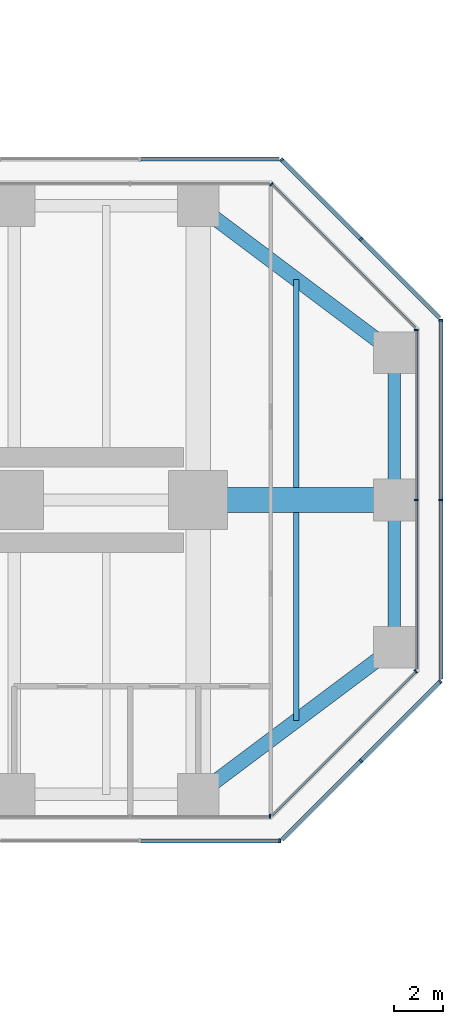
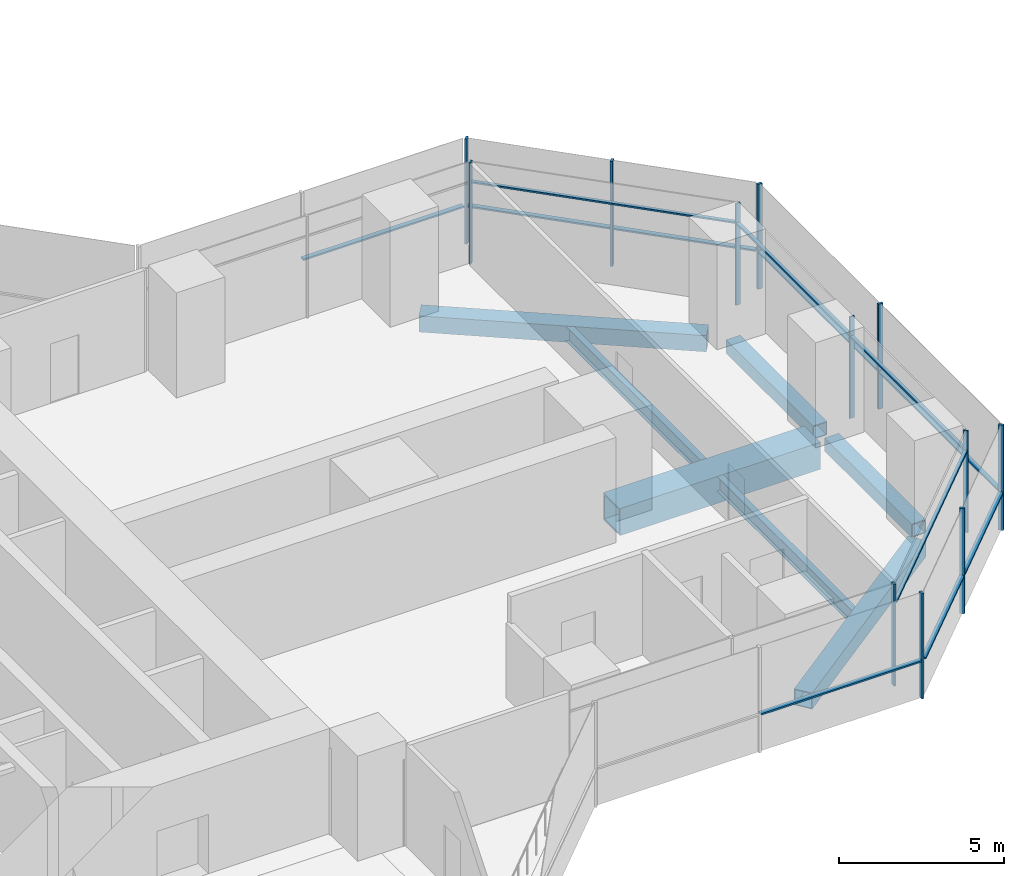
# One storey, part 12 of 22: 24 members, 7 beams, 9 elements without a shape of their own.
"""IFC4 building model written with IfcOpenShell, lengths in metres."""

from ifc_helpers import new_model, si_unit, direction, frame, origin, origin_2d, place, context, subcontext, project, spatial, rectangle, hollow_rectangle, i_section, extrude, material, material_profile, profile_set, type_object, element, aggregate, save


model = new_model("IFC4")

# Units and contexts
model_context = context("Model", 3, precision=1e-05, world=origin(), true_north=direction((0.0, 1.0)))
body_context = subcontext(model_context, "Body", "Model", "MODEL_VIEW")
ifc_project = project(units=[si_unit("LENGTHUNIT", "METRE"), si_unit("AREAUNIT", "SQUARE_METRE"), si_unit("VOLUMEUNIT", "CUBIC_METRE"), si_unit("PLANEANGLEUNIT", "RADIAN"), si_unit("MASSUNIT", "GRAM", prefix="KILO")], contexts=[model_context])

# Site, building, storey
site_placement = place(None, origin())
site = spatial("IfcSite", under=ifc_project, at=site_placement, CompositionType="ELEMENT")
building_placement = place(site_placement, origin())
building = spatial("IfcBuilding", under=site, at=building_placement, Name="Mizan Broadcast Tower", CompositionType="ELEMENT")
storey_placement = place(building_placement, frame((0.0, 0.0, 51.300048828125)))
storey = spatial("IfcBuildingStorey", under=building, at=storey_placement, Name="L09", CompositionType="ELEMENT", Elevation=51.300048828125)

# Beams
ifc_material_1 = material(Name="Steel S355", Category="steel")
ifc_material_profile_1 = material_profile(ifc_material_1, hollow_rectangle(XDim=0.5, YDim=0.5, WallThickness=0.030029296875, at=origin_2d()), Name="BOX 500x500x30")
ifc_profile_set_1 = profile_set([ifc_material_profile_1], Name="Steel S355")
beam_type_1 = type_object("IfcBeamType", Name="EDGE BEAM BOX 500x500x30", PredefinedType="SPANDREL", material=ifc_profile_set_1)
for number, where, z_axis, x_axis, name in (
    (1, (35.0, -5.639892578125, -0.380126953125), (0.0, 1.0, 0.0), (-1.0, 0.0, 0.0), "Edge beam BOX 500x500x30 L09 east arm"),
    (2, (35.0, 5.639892578125, -0.380126953125), (0.0, -1.0, 0.0), (1.0, 0.0, 0.0), "Edge beam BOX 500x500x30 L09 east arm"),
):
    element("IfcBeam", number, at=place(storey_placement, frame(where, z_axis=z_axis, x_axis=x_axis)), inside=storey, type_object=beam_type_1, Name=name, PredefinedType="SPANDREL", context=body_context, shape_type="SweptSolid", body=[
        extrude(hollow_rectangle(XDim=0.5, YDim=0.5, WallThickness=0.030029296875, at=origin_2d()), origin(), (0.0, 0.0, 1.0), 5.27978515625),
    ])
ifc_material_2 = material(Name="Steel S355", Category="steel")
ifc_material_profile_2 = material_profile(ifc_material_2, hollow_rectangle(XDim=0.60009765625, YDim=0.60009765625, WallThickness=0.030029296875, at=origin_2d()), Name="BOX 600x600x30")
ifc_profile_set_2 = profile_set([ifc_material_profile_2], Name="Steel S355")
beam_type_2 = type_object("IfcBeamType", Name="EDGE BEAM BOX 600x600x30", PredefinedType="SPANDREL", material=ifc_profile_set_2)
for number, where, z_axis, x_axis, name in (
    (3, (27.47998046875, -11.639892578125, -0.429931640625), (0.800013316712, 0.599982243973, 0.0), (-0.599982243973, 0.800013316712, 0.0), "Edge beam BOX 600x600x30 L09 east arm"),
    (4, (27.47998046875, 11.639892578125, -0.429931640625), (0.800013316712, -0.599982243973, 0.0), (0.599982243973, 0.800013316712, 0.0), "Edge beam BOX 600x600x30 L09 east arm"),
):
    element("IfcBeam", number, at=place(storey_placement, frame(where, z_axis=z_axis, x_axis=x_axis)), inside=storey, type_object=beam_type_2, Name=name, PredefinedType="SPANDREL", context=body_context, shape_type="SweptSolid", body=[
        extrude(hollow_rectangle(XDim=0.60009765625, YDim=0.60009765625, WallThickness=0.030029296875, at=origin_2d()), origin(), (0.0, 0.0, 1.0), 8.7998046875),
    ])
ifc_material_3 = material(Name="Steel S460", Category="steel")
ifc_material_profile_3 = material_profile(ifc_material_3, hollow_rectangle(XDim=1.0, YDim=1.0, WallThickness=0.06005859375, at=origin_2d()), Name="BOX 1000x1000x60")
ifc_profile_set_3 = profile_set([ifc_material_profile_3], Name="Steel S460")
beam_type_3 = type_object("IfcBeamType", Name="GIRDER BOX 1000x1000x60", PredefinedType="BEAM", material=ifc_profile_set_3)
beam_placement = place(storey_placement, frame((27.47998046875, 0.0, -0.630126953125), z_axis=(1.0, 0.0, 0.0), x_axis=(0.0, 1.0, 0.0)))
element("IfcBeam", 5, at=beam_placement, inside=storey, type_object=beam_type_3, Name="Girder BOX 1000x1000x60 L09 east arm", PredefinedType="BEAM", context=body_context, shape_type="SweptSolid", body=[
    extrude(hollow_rectangle(XDim=1.0, YDim=1.0, WallThickness=0.06005859375, at=origin_2d()), origin(), (0.0, 0.0, 1.0), 7.0400390625),
])

# Curtain wall, member
ifc_material_4 = material(Name="Aluminium framed glazing", Category="aluminium")
curtain_wall_type_1 = type_object("IfcCurtainWallType", Name="INNER SKIN LOW ZONE", PredefinedType="USERDEFINED", material=ifc_material_4)
curtain_wall_1_placement = place(storey_placement, origin())
curtain_wall_1 = element("IfcCurtainWall", 6, at=curtain_wall_1_placement, inside=storey, type_object=curtain_wall_type_1, Name="Inner skin low zone L09 E side", ObjectType="INNER SKIN LOW ZONE", PredefinedType="USERDEFINED")
ifc_material_5 = material(Name="Aluminium, pale anodised", Category="aluminium")
ifc_material_profile_4 = material_profile(ifc_material_5, rectangle(XDim=0.159912109375, YDim=0.06005859375, at=origin_2d()), Name="MULLION 160x60")
ifc_profile_set_4 = profile_set([ifc_material_profile_4], Name="Aluminium, pale anodised")
member_type_1 = type_object("IfcMemberType", Name="INNER SKIN MULLION 60x160", PredefinedType="MULLION", material=ifc_profile_set_4)
member_1_placement = place(storey_placement, frame((29.928466796875, -12.89990234375, 0.0), z_axis=(0.0, 0.0, 1.0), x_axis=(0.0, 1.0, 0.0)))
member_1 = element("IfcMember", 7, at=member_1_placement, type_object=member_type_1, Name="Inner skin low zone L09 E side mullion 3", PredefinedType="MULLION", context=body_context, shape_type="SweptSolid", body=[
    extrude(rectangle(XDim=0.159912109375, YDim=0.06005859375, at=origin_2d()), origin(), (0.0, 0.0, 1.0), 3.77001953125),
])
aggregate(curtain_wall_1, [member_1])

curtain_wall_2_placement = place(storey_placement, origin())
curtain_wall_2 = element("IfcCurtainWall", 8, at=curtain_wall_2_placement, inside=storey, type_object=curtain_wall_type_1, Name="Inner skin low zone L09 E chamfer", ObjectType="INNER SKIN LOW ZONE", PredefinedType="USERDEFINED")
member_2_placement = place(storey_placement, frame((35.87890625, -6.979736328125, 0.0), z_axis=(0.0, 0.0, 1.0), x_axis=(-0.707106781187, 0.707106781187, 0.0)))
member_2 = element("IfcMember", 9, at=member_2_placement, type_object=member_type_1, Name="Inner skin low zone L09 E chamfer mullion 2", PredefinedType="MULLION", context=body_context, shape_type="SweptSolid", body=[
    extrude(rectangle(XDim=0.159912109375, YDim=0.06005859375, at=origin_2d()), origin(), (0.0, 0.0, 1.0), 3.77001953125),
])

# Curtain wall, members
curtain_wall_3_placement = place(storey_placement, origin())
curtain_wall_3 = element("IfcCurtainWall", 10, at=curtain_wall_3_placement, inside=storey, type_object=curtain_wall_type_1, Name="Inner skin low zone L09 E end", ObjectType="INNER SKIN LOW ZONE", PredefinedType="USERDEFINED")
member_3_placement = place(storey_placement, frame((35.89990234375, 0.0, 0.0), z_axis=(0.0, 0.0, 1.0), x_axis=(-1.0, 0.0, 0.0)))
member_3 = element("IfcMember", 11, at=member_3_placement, type_object=member_type_1, Name="Inner skin low zone L09 E end mullion 2", PredefinedType="MULLION", context=body_context, shape_type="SweptSolid", body=[
    extrude(rectangle(XDim=0.159912109375, YDim=0.06005859375, at=origin_2d()), origin(), (0.0, 0.0, 1.0), 3.77001953125),
])
member_4_placement = place(storey_placement, frame((35.89990234375, 6.928466796875, 0.0), z_axis=(0.0, 0.0, 1.0), x_axis=(-1.0, 0.0, 0.0)))
member_4 = element("IfcMember", 12, at=member_4_placement, type_object=member_type_1, Name="Inner skin low zone L09 E end mullion 3", PredefinedType="MULLION", context=body_context, shape_type="SweptSolid", body=[
    extrude(rectangle(XDim=0.159912109375, YDim=0.06005859375, at=origin_2d()), origin(), (0.0, 0.0, 1.0), 3.77001953125),
])

# Curtain wall, member
curtain_wall_4_placement = place(storey_placement, origin())
curtain_wall_4 = element("IfcCurtainWall", 13, at=curtain_wall_4_placement, inside=storey, type_object=curtain_wall_type_1, Name="Inner skin low zone L09 E chamfer", ObjectType="INNER SKIN LOW ZONE", PredefinedType="USERDEFINED")
member_5_placement = place(storey_placement, frame((29.979736328125, 12.87890625, 0.0), z_axis=(0.0, 0.0, 1.0), x_axis=(-0.707106781187, -0.707106781187, 0.0)))
member_5 = element("IfcMember", 14, at=member_5_placement, type_object=member_type_1, Name="Inner skin low zone L09 E chamfer mullion 2", PredefinedType="MULLION", context=body_context, shape_type="SweptSolid", body=[
    extrude(rectangle(XDim=0.159912109375, YDim=0.06005859375, at=origin_2d()), origin(), (0.0, 0.0, 1.0), 3.77001953125),
])

# Member
ifc_material_6 = material(Name="Aluminium, pale anodised", Category="aluminium")
ifc_material_profile_5 = material_profile(ifc_material_6, rectangle(XDim=0.1201171875, YDim=0.06005859375, at=origin_2d()), Name="TRANSOM 120x60")
ifc_profile_set_5 = profile_set([ifc_material_profile_5], Name="Aluminium, pale anodised")
member_type_2 = type_object("IfcMemberType", Name="INNER SKIN TRANSOM 60x120", PredefinedType="USERDEFINED", material=ifc_profile_set_5)
member_6_placement = place(storey_placement, frame((30.0009765625, -12.857666015625, 3.030029296875), z_axis=(0.707106781187, 0.707106781187, 0.0), x_axis=(-0.707106781187, 0.707106781187, 0.0)))
member_6 = element("IfcMember", 15, at=member_6_placement, type_object=member_type_2, Name="Inner skin low zone L09 E chamfer transom 1.1", ObjectType="TRANSOM", PredefinedType="USERDEFINED", context=body_context, shape_type="SweptSolid", body=[
    extrude(rectangle(XDim=0.1201171875, YDim=0.06005859375, at=origin_2d()), origin(), (0.0, 0.0, 1.0), 8.28271484375),
])

aggregate(curtain_wall_2, [member_2, member_6])

member_7_placement = place(storey_placement, frame((35.89990234375, -6.898681640625, 3.030029296875), z_axis=(0.0, 1.0, 0.0), x_axis=(-1.0, 0.0, 0.0)))
member_7 = element("IfcMember", 16, at=member_7_placement, type_object=member_type_2, Name="Inner skin low zone L09 E end transom 1.1", ObjectType="TRANSOM", PredefinedType="USERDEFINED", context=body_context, shape_type="SweptSolid", body=[
    extrude(rectangle(XDim=0.1201171875, YDim=0.06005859375, at=origin_2d()), origin(), (0.0, 0.0, 1.0), 6.86865234375),
])

member_8_placement = place(storey_placement, frame((35.89990234375, 0.030029296875, 3.030029296875), z_axis=(0.0, 1.0, 0.0), x_axis=(-1.0, 0.0, 0.0)))
member_8 = element("IfcMember", 17, at=member_8_placement, type_object=member_type_2, Name="Inner skin low zone L09 E end transom 2.1", ObjectType="TRANSOM", PredefinedType="USERDEFINED", context=body_context, shape_type="SweptSolid", body=[
    extrude(rectangle(XDim=0.1201171875, YDim=0.06005859375, at=origin_2d()), origin(), (0.0, 0.0, 1.0), 6.86865234375),
])

aggregate(curtain_wall_3, [member_3, member_4, member_7, member_8])

member_9_placement = place(storey_placement, frame((35.857666015625, 7.0009765625, 3.030029296875), z_axis=(-0.707106781187, 0.707106781187, 0.0), x_axis=(-0.707106781187, -0.707106781187, 0.0)))
member_9 = element("IfcMember", 18, at=member_9_placement, type_object=member_type_2, Name="Inner skin low zone L09 E chamfer transom 1.1", ObjectType="TRANSOM", PredefinedType="USERDEFINED", context=body_context, shape_type="SweptSolid", body=[
    extrude(rectangle(XDim=0.1201171875, YDim=0.06005859375, at=origin_2d()), origin(), (0.0, 0.0, 1.0), 8.28271484375),
])

aggregate(curtain_wall_4, [member_5, member_9])

# Curtain wall, members
ifc_material_7 = material(Name="Aluminium framed glazing", Category="aluminium")
curtain_wall_type_2 = type_object("IfcCurtainWallType", Name="OUTER SKIN", PredefinedType="USERDEFINED", material=ifc_material_7)
curtain_wall_5_placement = place(storey_placement, origin())
curtain_wall_5 = element("IfcCurtainWall", 19, at=curtain_wall_5_placement, inside=storey, type_object=curtain_wall_type_2, Name="Outer skin L09 E chamfer", ObjectType="OUTER SKIN", PredefinedType="USERDEFINED")
ifc_material_8 = material(Name="Aluminium, pale anodised", Category="aluminium")
ifc_material_profile_6 = material_profile(ifc_material_8, rectangle(XDim=0.159912109375, YDim=0.080078125, at=origin_2d()), Name="MULLION 160x80")
ifc_profile_set_6 = profile_set([ifc_material_profile_6], Name="Aluminium, pale anodised")
member_type_3 = type_object("IfcMemberType", Name="OUTER SKIN MULLION 80x160", PredefinedType="MULLION", material=ifc_profile_set_6)
member_10_placement = place(storey_placement, frame((33.636474609375, -10.636474609375, 0.0), z_axis=(0.0, 0.0, 1.0), x_axis=(-0.707106781187, 0.707106781187, 0.0)))
member_10 = element("IfcMember", 20, at=member_10_placement, type_object=member_type_3, Name="Outer skin L09 E chamfer mullion 2", PredefinedType="MULLION", context=body_context, shape_type="SweptSolid", body=[
    extrude(rectangle(XDim=0.159912109375, YDim=0.080078125, at=origin_2d()), origin(), (0.0, 0.0, 1.0), 3.89990234375),
])
member_11_placement = place(storey_placement, frame((36.871826171875, -7.401123046875, 0.0), z_axis=(0.0, 0.0, 1.0), x_axis=(-0.707106781187, 0.707106781187, 0.0)))
member_11 = element("IfcMember", 21, at=member_11_placement, type_object=member_type_3, Name="Outer skin L09 E chamfer mullion 3", PredefinedType="MULLION", context=body_context, shape_type="SweptSolid", body=[
    extrude(rectangle(XDim=0.159912109375, YDim=0.080078125, at=origin_2d()), origin(), (0.0, 0.0, 1.0), 3.89990234375),
])

curtain_wall_6_placement = place(storey_placement, origin())
curtain_wall_6 = element("IfcCurtainWall", 22, at=curtain_wall_6_placement, inside=storey, type_object=curtain_wall_type_2, Name="Outer skin L09 E end", ObjectType="OUTER SKIN", PredefinedType="USERDEFINED")
member_12_placement = place(storey_placement, frame((36.89990234375, 0.0, 0.0), z_axis=(0.0, 0.0, 1.0), x_axis=(-1.0, 0.0, 0.0)))
member_12 = element("IfcMember", 23, at=member_12_placement, type_object=member_type_3, Name="Outer skin L09 E end mullion 2", PredefinedType="MULLION", context=body_context, shape_type="SweptSolid", body=[
    extrude(rectangle(XDim=0.159912109375, YDim=0.080078125, at=origin_2d()), origin(), (0.0, 0.0, 1.0), 3.89990234375),
])
member_13_placement = place(storey_placement, frame((36.89990234375, 7.332763671875, 0.0), z_axis=(0.0, 0.0, 1.0), x_axis=(-1.0, 0.0, 0.0)))
member_13 = element("IfcMember", 24, at=member_13_placement, type_object=member_type_3, Name="Outer skin L09 E end mullion 3", PredefinedType="MULLION", context=body_context, shape_type="SweptSolid", body=[
    extrude(rectangle(XDim=0.159912109375, YDim=0.080078125, at=origin_2d()), origin(), (0.0, 0.0, 1.0), 3.89990234375),
])

curtain_wall_7_placement = place(storey_placement, origin())
curtain_wall_7 = element("IfcCurtainWall", 25, at=curtain_wall_7_placement, inside=storey, type_object=curtain_wall_type_2, Name="Outer skin L09 E chamfer", ObjectType="OUTER SKIN", PredefinedType="USERDEFINED")
member_14_placement = place(storey_placement, frame((33.636474609375, 10.636474609375, 0.0), z_axis=(0.0, 0.0, 1.0), x_axis=(-0.707106781187, -0.707106781187, 0.0)))
member_14 = element("IfcMember", 26, at=member_14_placement, type_object=member_type_3, Name="Outer skin L09 E chamfer mullion 2", PredefinedType="MULLION", context=body_context, shape_type="SweptSolid", body=[
    extrude(rectangle(XDim=0.159912109375, YDim=0.080078125, at=origin_2d()), origin(), (0.0, 0.0, 1.0), 3.89990234375),
])
member_15_placement = place(storey_placement, frame((30.401123046875, 13.871826171875, 0.0), z_axis=(0.0, 0.0, 1.0), x_axis=(-0.707106781187, -0.707106781187, 0.0)))
member_15 = element("IfcMember", 27, at=member_15_placement, type_object=member_type_3, Name="Outer skin L09 E chamfer mullion 3", PredefinedType="MULLION", context=body_context, shape_type="SweptSolid", body=[
    extrude(rectangle(XDim=0.159912109375, YDim=0.080078125, at=origin_2d()), origin(), (0.0, 0.0, 1.0), 3.89990234375),
])

# Curtain wall, member
curtain_wall_8_placement = place(storey_placement, origin())
curtain_wall_8 = element("IfcCurtainWall", 28, at=curtain_wall_8_placement, inside=storey, type_object=curtain_wall_type_2, Name="Outer skin L09 E side", ObjectType="OUTER SKIN", PredefinedType="USERDEFINED")
member_16_placement = place(storey_placement, frame((30.332763671875, -13.89990234375, 0.0), z_axis=(0.0, 0.0, 1.0), x_axis=(0.0, 1.0, 0.0)))
member_16 = element("IfcMember", 29, at=member_16_placement, type_object=member_type_3, Name="Outer skin L09 E side mullion 3", PredefinedType="MULLION", context=body_context, shape_type="SweptSolid", body=[
    extrude(rectangle(XDim=0.159912109375, YDim=0.080078125, at=origin_2d()), origin(), (0.0, 0.0, 1.0), 3.89990234375),
])

# Member
ifc_material_9 = material(Name="Aluminium, pale anodised", Category="aluminium")
ifc_material_profile_7 = material_profile(ifc_material_9, rectangle(XDim=0.159912109375, YDim=0.06005859375, at=origin_2d()), Name="TRANSOM 160x60")
ifc_profile_set_7 = profile_set([ifc_material_profile_7], Name="Aluminium, pale anodised")
member_type_4 = type_object("IfcMemberType", Name="OUTER SKIN TRANSOM 60x160", PredefinedType="USERDEFINED", material=ifc_profile_set_7)
member_17_placement = place(storey_placement, frame((30.429443359375, -13.843505859375, 1.39990234375), z_axis=(0.707106781187, 0.707106781187, 0.0), x_axis=(-0.707106781187, 0.707106781187, 0.0)))
member_17 = element("IfcMember", 30, at=member_17_placement, type_object=member_type_4, Name="Outer skin L09 E chamfer transom 1.1", ObjectType="TRANSOM", PredefinedType="USERDEFINED", context=body_context, shape_type="SweptSolid", body=[
    extrude(rectangle(XDim=0.159912109375, YDim=0.06005859375, at=origin_2d()), origin(), (0.0, 0.0, 1.0), 4.495361328125),
])

member_18_placement = place(storey_placement, frame((33.664794921875, -10.608154296875, 1.39990234375), z_axis=(0.707106781187, 0.707106781187, 0.0), x_axis=(-0.707106781187, 0.707106781187, 0.0)))
member_18 = element("IfcMember", 31, at=member_18_placement, type_object=member_type_4, Name="Outer skin L09 E chamfer transom 2.1", ObjectType="TRANSOM", PredefinedType="USERDEFINED", context=body_context, shape_type="SweptSolid", body=[
    extrude(rectangle(XDim=0.159912109375, YDim=0.06005859375, at=origin_2d()), origin(), (0.0, 0.0, 1.0), 4.495361328125),
])

aggregate(curtain_wall_5, [member_10, member_11, member_17, member_18])

member_19_placement = place(storey_placement, frame((36.89990234375, -7.292724609375, 1.39990234375), z_axis=(0.0, 1.0, 0.0), x_axis=(-1.0, 0.0, 0.0)))
member_19 = element("IfcMember", 32, at=member_19_placement, type_object=member_type_4, Name="Outer skin L09 E end transom 1.1", ObjectType="TRANSOM", PredefinedType="USERDEFINED", context=body_context, shape_type="SweptSolid", body=[
    extrude(rectangle(XDim=0.159912109375, YDim=0.06005859375, at=origin_2d()), origin(), (0.0, 0.0, 1.0), 7.252685546875),
])

member_20_placement = place(storey_placement, frame((36.89990234375, 0.0400390625, 1.39990234375), z_axis=(0.0, 1.0, 0.0), x_axis=(-1.0, 0.0, 0.0)))
member_20 = element("IfcMember", 33, at=member_20_placement, type_object=member_type_4, Name="Outer skin L09 E end transom 2.1", ObjectType="TRANSOM", PredefinedType="USERDEFINED", context=body_context, shape_type="SweptSolid", body=[
    extrude(rectangle(XDim=0.159912109375, YDim=0.06005859375, at=origin_2d()), origin(), (0.0, 0.0, 1.0), 7.252685546875),
])

aggregate(curtain_wall_6, [member_12, member_13, member_19, member_20])

member_21_placement = place(storey_placement, frame((36.843505859375, 7.429443359375, 1.39990234375), z_axis=(-0.707106781187, 0.707106781187, 0.0), x_axis=(-0.707106781187, -0.707106781187, 0.0)))
member_21 = element("IfcMember", 34, at=member_21_placement, type_object=member_type_4, Name="Outer skin L09 E chamfer transom 1.1", ObjectType="TRANSOM", PredefinedType="USERDEFINED", context=body_context, shape_type="SweptSolid", body=[
    extrude(rectangle(XDim=0.159912109375, YDim=0.06005859375, at=origin_2d()), origin(), (0.0, 0.0, 1.0), 4.495361328125),
])

member_22_placement = place(storey_placement, frame((33.608154296875, 10.664794921875, 1.39990234375), z_axis=(-0.707106781187, 0.707106781187, 0.0), x_axis=(-0.707106781187, -0.707106781187, 0.0)))
member_22 = element("IfcMember", 35, at=member_22_placement, type_object=member_type_4, Name="Outer skin L09 E chamfer transom 2.1", ObjectType="TRANSOM", PredefinedType="USERDEFINED", context=body_context, shape_type="SweptSolid", body=[
    extrude(rectangle(XDim=0.159912109375, YDim=0.06005859375, at=origin_2d()), origin(), (0.0, 0.0, 1.0), 4.495361328125),
])

aggregate(curtain_wall_7, [member_14, member_15, member_21, member_22])

# Curtain wall, member
curtain_wall_9_placement = place(storey_placement, origin())
curtain_wall_9 = element("IfcCurtainWall", 36, at=curtain_wall_9_placement, inside=storey, type_object=curtain_wall_type_2, Name="Outer skin L09 E side", ObjectType="OUTER SKIN", PredefinedType="USERDEFINED")
member_23_placement = place(storey_placement, frame((30.292724609375, 13.89990234375, 1.39990234375), z_axis=(-1.0, 0.0, 0.0), x_axis=(0.0, -1.0, 0.0)))
member_23 = element("IfcMember", 37, at=member_23_placement, type_object=member_type_4, Name="Outer skin L09 E side transom 1.1", ObjectType="TRANSOM", PredefinedType="USERDEFINED", context=body_context, shape_type="SweptSolid", body=[
    extrude(rectangle(XDim=0.159912109375, YDim=0.06005859375, at=origin_2d()), origin(), (0.0, 0.0, 1.0), 5.6298828125),
])
aggregate(curtain_wall_9, [member_23])

# Member
member_24_placement = place(storey_placement, frame((24.662841796875, -13.89990234375, 1.39990234375), z_axis=(1.0, 0.0, 0.0), x_axis=(0.0, 1.0, 0.0)))
member_24 = element("IfcMember", 38, at=member_24_placement, type_object=member_type_4, Name="Outer skin L09 E side transom 2.1", ObjectType="TRANSOM", PredefinedType="USERDEFINED", context=body_context, shape_type="SweptSolid", body=[
    extrude(rectangle(XDim=0.159912109375, YDim=0.06005859375, at=origin_2d()), origin(), (0.0, 0.0, 1.0), 5.6298828125),
])

aggregate(curtain_wall_8, [member_16, member_24])

# Beams
ifc_material_10 = material(Name="Steel S355", Category="steel")
ifc_material_profile_8 = material_profile(ifc_material_10, i_section(OverallWidth=0.2099609375, OverallDepth=0.550048828125, WebThickness=0.010986328125, FlangeThickness=0.01708984375, FilletRadius=0.02392578125, at=origin_2d()), Name="IPE 550")
ifc_profile_set_8 = profile_set([ifc_material_profile_8], Name="Steel S355")
beam_type_4 = type_object("IfcBeamType", Name="SECONDARY BEAM IPE 550", PredefinedType="JOIST", material=ifc_profile_set_8)
for number, where, z_axis, x_axis, name in (
    (39, (31.0, -9.0, -0.405029296875), (0.0, 1.0, 0.0), (-1.0, 0.0, 0.0), "Secondary beam IPE 550 L09 east arm"),
    (40, (31.0, 9.0, -0.405029296875), (0.0, -1.0, 0.0), (1.0, 0.0, 0.0), "Secondary beam IPE 550 L09 east arm"),
):
    element("IfcBeam", number, at=place(storey_placement, frame(where, z_axis=z_axis, x_axis=x_axis)), inside=storey, type_object=beam_type_4, Name=name, PredefinedType="JOIST", context=body_context, shape_type="SweptSolid", body=[
        extrude(i_section(OverallWidth=0.2099609375, OverallDepth=0.550048828125, WebThickness=0.010986328125, FlangeThickness=0.01708984375, FilletRadius=0.02392578125, at=origin_2d()), origin(), (0.0, 0.0, 1.0), 8.5),
    ])

save(model, "model.ifc")
